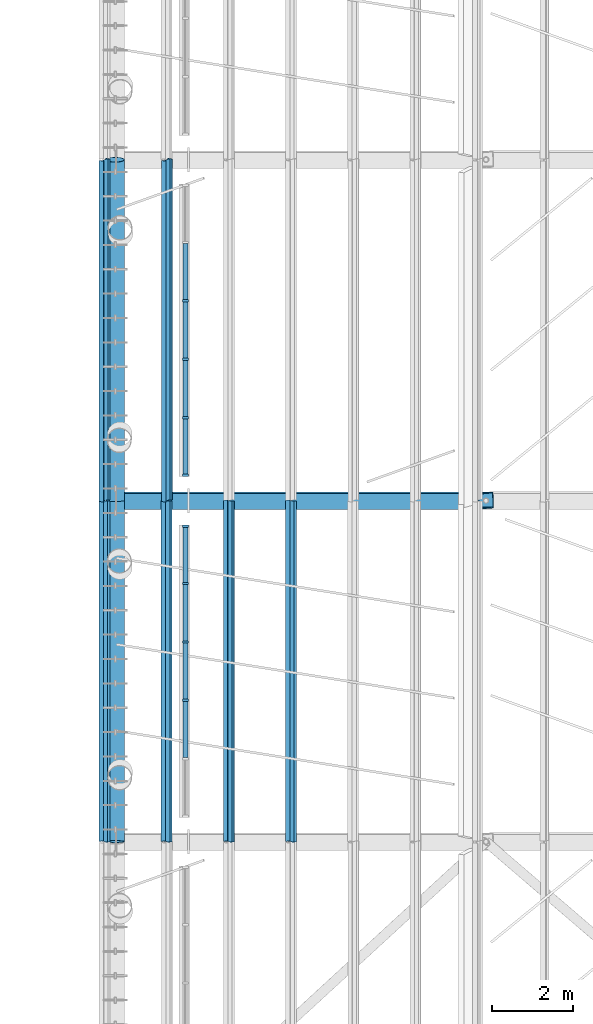
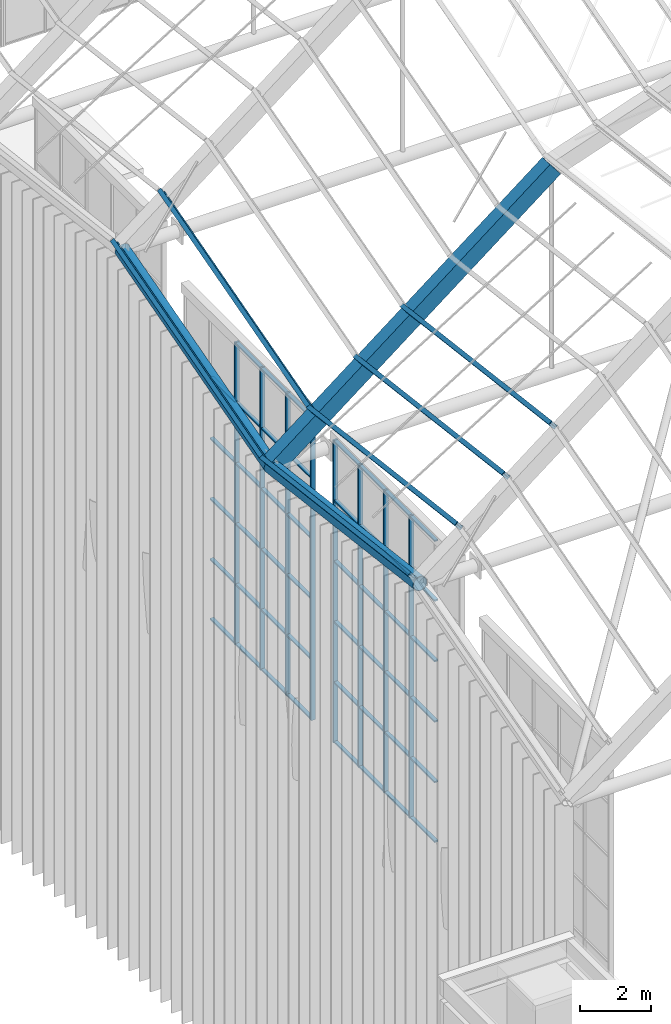
# One storey, part 20 of 126: 61 members, 3 beams, 2 elements without a shape of their own.
"""IFC4 building model written with IfcOpenShell, lengths in metres."""

from ifc_helpers import new_model, si_unit, direction, frame, origin, origin_2d, place, context, subcontext, project, spatial, polyline, rectangle, hollow_circle, i_section, outline, extrude, material, material_profile, profile_set, type_object, element, aggregate, save


model = new_model("IFC4")

# Units and contexts
model_context = context("Model", 3, precision=1e-05, world=origin(), true_north=direction((0.0, 1.0)))
body_context = subcontext(model_context, "Body", "Model", "MODEL_VIEW")
ifc_project = project(units=[si_unit("LENGTHUNIT", "METRE"), si_unit("AREAUNIT", "SQUARE_METRE"), si_unit("VOLUMEUNIT", "CUBIC_METRE"), si_unit("PLANEANGLEUNIT", "RADIAN"), si_unit("MASSUNIT", "GRAM", prefix="KILO")], contexts=[model_context])

# Site, building, storey
site_placement = place(None, origin())
site = spatial("IfcSite", under=ifc_project, at=site_placement, CompositionType="ELEMENT")
building_placement = place(site_placement, origin())
building = spatial("IfcBuilding", under=site, at=building_placement, Name="Sava Quay Ferry Terminal", CompositionType="ELEMENT")
storey_placement = place(building_placement, frame((0.0, 0.0, 15.0)))
storey = spatial("IfcBuildingStorey", under=building, at=storey_placement, Name="L03", CompositionType="ELEMENT", Elevation=15.0)

# Beams
ifc_material_1 = material(Name="Steel S355", Category="steel")
ifc_material_profile_1 = material_profile(ifc_material_1, outline(polyline([(-0.199951171875, -0.300048828125), (0.199951171875, -0.300048828125), (0.199951171875, 0.300048828125), (-0.199951171875, 0.300048828125), (-0.199951171875, -0.300048828125)]), holes=[polyline([(-0.175048828125, -0.27490234375), (-0.175048828125, 0.27490234375), (0.175048828125, 0.27490234375), (0.175048828125, -0.27490234375), (-0.175048828125, -0.27490234375)])]), Name="Box 600x400x25 built-up")
ifc_profile_set_1 = profile_set([ifc_material_profile_1], Name="Steel S355")
beam_type_1 = type_object("IfcBeamType", Name="D folded rib Box 600x400x25", PredefinedType="BEAM", material=ifc_profile_set_1)
beam_1_placement = place(storey_placement, frame((42.0, 67.199951171875, 9.714111328125), z_axis=(0.788010316968, 0.0, 0.615662034198), x_axis=(-0.036941091699, 0.998198243354, 0.047282372084)))
element("IfcBeam", 1, at=beam_1_placement, inside=storey, type_object=beam_type_1, Name="Departure hall folded rib R2 seg 1", PredefinedType="BEAM", context=body_context, shape_type="SweptSolid", body=[
    extrude(outline(polyline([(-0.199951171875, -0.300048828125), (0.199951171875, -0.300048828125), (0.199951171875, 0.300048828125), (-0.199951171875, 0.300048828125), (-0.199951171875, -0.300048828125)]), holes=[polyline([(-0.175048828125, -0.27490234375), (-0.175048828125, 0.27490234375), (0.175048828125, 0.27490234375), (0.175048828125, -0.27490234375), (-0.175048828125, -0.27490234375)])]), origin(), (0.0, 0.0, 1.0), 11.5859375),
])
ifc_material_2 = material(Name="Steel S355", Category="steel")
ifc_material_profile_2 = material_profile(ifc_material_2, hollow_circle(Radius=0.228515625, WallThickness=0.01611328125, at=origin_2d()), Name="CHS 457 x 16.0")
ifc_profile_set_2 = profile_set([ifc_material_profile_2], Name="Steel S355")
beam_type_2 = type_object("IfcBeamType", Name="Eave beam CHS 457x16", PredefinedType="BEAM", material=ifc_profile_set_2)
beam_2_placement = place(storey_placement, frame((42.0, 58.800048828125, 10.757080078125), z_axis=(0.0, 0.992379601397, -0.123218207788), x_axis=(-1.0, 0.0, 0.0)))
element("IfcBeam", 2, at=beam_2_placement, inside=storey, type_object=beam_type_2, Name="Departure hall eave beam L2", PredefinedType="BEAM", context=body_context, shape_type="SweptSolid", body=[
    extrude(hollow_circle(Radius=0.228515625, WallThickness=0.01611328125, at=origin_2d()), origin(), (0.0, 0.0, 1.0), 8.46435546875),
])
beam_3_placement = place(storey_placement, frame((42.0, 67.199951171875, 9.714111328125), z_axis=(0.0, 0.962818275279, 0.270149900588), x_axis=(-1.0, 0.0, 0.0)))
element("IfcBeam", 3, at=beam_3_placement, inside=storey, type_object=beam_type_2, Name="Departure hall eave beam L3", PredefinedType="BEAM", context=body_context, shape_type="SweptSolid", body=[
    extrude(hollow_circle(Radius=0.228515625, WallThickness=0.01611328125, at=origin_2d()), origin(), (0.0, 0.0, 1.0), 8.724609375),
])

# Curtain wall, members
ifc_material_3 = material(Name="Aluminium and glass curtain wall, double low-e glazed", Category="aluminium")
curtain_wall_type = type_object("IfcCurtainWallType", Name="Curtain wall CW-F flank", PredefinedType="NOTDEFINED", material=ifc_material_3)
curtain_wall_1_placement = place(storey_placement, origin())
curtain_wall_1 = element("IfcCurtainWall", 4, at=curtain_wall_1_placement, inside=storey, type_object=curtain_wall_type, Name="Curtain wall D-W L03 bay 2", PredefinedType="NOTDEFINED")
ifc_material_4 = material(Name="Aluminium EN AW-6063 T6", Category="aluminium")
ifc_material_profile_3 = material_profile(ifc_material_4, rectangle(XDim=0.14990234375, YDim=0.06005859375, at=origin_2d()), Name="Mullion 60x150 aluminium")
ifc_profile_set_3 = profile_set([ifc_material_profile_3], Name="Aluminium EN AW-6063 T6")
member_type_1 = type_object("IfcMemberType", Name="Mullion 60x150 aluminium", PredefinedType="MULLION", material=ifc_profile_set_3)
member_1_placement = place(storey_placement, frame((43.72509765625, 62.280029296875, 0.0), z_axis=(0.0, 0.0, 1.0), x_axis=(-1.0, 0.0, 0.0)))
member_1 = element("IfcMember", 5, at=member_1_placement, type_object=member_type_1, Name="CW102 mullion 3", PredefinedType="MULLION", context=body_context, shape_type="SweptSolid", body=[
    extrude(rectangle(XDim=0.14990234375, YDim=0.06005859375, at=origin_2d()), origin(), (0.0, 0.0, 1.0), 10.39990234375),
])
member_2_placement = place(storey_placement, frame((43.72509765625, 63.719970703125, 0.0), z_axis=(0.0, 0.0, 1.0), x_axis=(-1.0, 0.0, 0.0)))
member_2 = element("IfcMember", 6, at=member_2_placement, type_object=member_type_1, Name="CW102 mullion 4", PredefinedType="MULLION", context=body_context, shape_type="SweptSolid", body=[
    extrude(rectangle(XDim=0.14990234375, YDim=0.06005859375, at=origin_2d()), origin(), (0.0, 0.0, 1.0), 10.39990234375),
])
member_3_placement = place(storey_placement, frame((43.72509765625, 65.159912109375, 0.0), z_axis=(0.0, 0.0, 1.0), x_axis=(-1.0, 0.0, 0.0)))
member_3 = element("IfcMember", 7, at=member_3_placement, type_object=member_type_1, Name="CW102 mullion 5", PredefinedType="MULLION", context=body_context, shape_type="SweptSolid", body=[
    extrude(rectangle(XDim=0.14990234375, YDim=0.06005859375, at=origin_2d()), origin(), (0.0, 0.0, 1.0), 10.39990234375),
])
member_4_placement = place(storey_placement, frame((43.72509765625, 66.570068359375, 0.0), z_axis=(0.0, 0.0, 1.0), x_axis=(-1.0, 0.0, 0.0)))
member_4 = element("IfcMember", 8, at=member_4_placement, type_object=member_type_1, Name="CW102 mullion 6", PredefinedType="MULLION", context=body_context, shape_type="SweptSolid", body=[
    extrude(rectangle(XDim=0.14990234375, YDim=0.06005859375, at=origin_2d()), origin(), (0.0, 0.0, 1.0), 10.39990234375),
])

curtain_wall_2_placement = place(storey_placement, origin())
curtain_wall_2 = element("IfcCurtainWall", 9, at=curtain_wall_2_placement, inside=storey, type_object=curtain_wall_type, Name="Curtain wall D-W L03 bay 3", PredefinedType="NOTDEFINED")
member_5_placement = place(storey_placement, frame((43.72509765625, 67.830078125, 0.0), z_axis=(0.0, 0.0, 1.0), x_axis=(-1.0, 0.0, 0.0)))
member_5 = element("IfcMember", 10, at=member_5_placement, type_object=member_type_1, Name="CW106 mullion 1", PredefinedType="MULLION", context=body_context, shape_type="SweptSolid", body=[
    extrude(rectangle(XDim=0.14990234375, YDim=0.06005859375, at=origin_2d()), origin(), (0.0, 0.0, 1.0), 10.39990234375),
])
member_6_placement = place(storey_placement, frame((43.72509765625, 69.239990234375, 0.0), z_axis=(0.0, 0.0, 1.0), x_axis=(-1.0, 0.0, 0.0)))
member_6 = element("IfcMember", 11, at=member_6_placement, type_object=member_type_1, Name="CW106 mullion 2", PredefinedType="MULLION", context=body_context, shape_type="SweptSolid", body=[
    extrude(rectangle(XDim=0.14990234375, YDim=0.06005859375, at=origin_2d()), origin(), (0.0, 0.0, 1.0), 10.39990234375),
])
member_7_placement = place(storey_placement, frame((43.72509765625, 70.679931640625, 0.0), z_axis=(0.0, 0.0, 1.0), x_axis=(-1.0, 0.0, 0.0)))
member_7 = element("IfcMember", 12, at=member_7_placement, type_object=member_type_1, Name="CW106 mullion 3", PredefinedType="MULLION", context=body_context, shape_type="SweptSolid", body=[
    extrude(rectangle(XDim=0.14990234375, YDim=0.06005859375, at=origin_2d()), origin(), (0.0, 0.0, 1.0), 10.39990234375),
])
member_8_placement = place(storey_placement, frame((43.72509765625, 72.1201171875, 0.0), z_axis=(0.0, 0.0, 1.0), x_axis=(-1.0, 0.0, 0.0)))
member_8 = element("IfcMember", 13, at=member_8_placement, type_object=member_type_1, Name="CW106 mullion 4", PredefinedType="MULLION", context=body_context, shape_type="SweptSolid", body=[
    extrude(rectangle(XDim=0.14990234375, YDim=0.06005859375, at=origin_2d()), origin(), (0.0, 0.0, 1.0), 10.39990234375),
])

# Members
ifc_material_5 = material(Name="Steel S355", Category="steel")
ifc_material_profile_4 = material_profile(ifc_material_5, i_section(OverallWidth=0.135009765625, OverallDepth=0.27001953125, WebThickness=0.006591796875, FlangeThickness=0.01025390625, at=origin_2d()), Name="IPE 270")
ifc_profile_set_4 = profile_set([ifc_material_profile_4], Name="Steel S355")
member_type_2 = type_object("IfcMemberType", Name="Roof purlin IPE 270", PredefinedType="PURLIN", material=ifc_profile_set_4)
for number, where, z_axis, x_axis, name in (
    (14, (41.7333984375, 58.800048828125, 11.103515625), (0.0, 0.992376074077, -0.123246612932), (-0.790288110365, -0.075517565912, -0.608063976777), "Departure hall edge purlin bay 2 V0"),
    (15, (43.2646484375, 58.800048828125, 12.2998046875), (0.0, 0.992379601397, -0.123218207788), (-0.790288110365, -0.075500161074, -0.608066138091), "Departure hall purlin bay 2 M0.1"),
    (16, (44.7958984375, 58.800048828125, 13.49609375), (0.0, 0.992379601397, -0.123218207788), (-0.790288110365, -0.075500161074, -0.608066138091), "Departure hall purlin bay 2 M0.2"),
    (17, (46.3271484375, 58.800048828125, 14.6923828125), (0.0, 0.992379601397, -0.123218207788), (-0.790288110365, -0.075500161074, -0.608066138091), "Departure hall purlin bay 2 M0.3"),
):
    element("IfcMember", number, at=place(storey_placement, frame(where, z_axis=z_axis, x_axis=x_axis)), inside=storey, type_object=member_type_2, Name=name, PredefinedType="PURLIN", context=body_context, shape_type="SweptSolid", body=[
        extrude(i_section(OverallWidth=0.135009765625, OverallDepth=0.27001953125, WebThickness=0.006591796875, FlangeThickness=0.01025390625, at=origin_2d()), origin(), (0.0, 0.0, 1.0), 8.46435546875),
    ])
for number, where, z_axis, x_axis, name in (
    (18, (41.738525390625, 67.199951171875, 10.074951171875), (0.0, 0.962810996405, 0.270175841262), (-0.799142410931, 0.162413978801, -0.578785890067), "Departure hall edge purlin bay 3 V0"),
    (19, (43.269775390625, 67.199951171875, 11.271240234375), (0.0, 0.962810996405, 0.270175841262), (-0.799142410931, 0.162413978801, -0.578785890067), "Departure hall purlin bay 3 M0.1"),
):
    element("IfcMember", number, at=place(storey_placement, frame(where, z_axis=z_axis, x_axis=x_axis)), inside=storey, type_object=member_type_2, Name=name, PredefinedType="PURLIN", context=body_context, shape_type="SweptSolid", body=[
        extrude(i_section(OverallWidth=0.135009765625, OverallDepth=0.27001953125, WebThickness=0.006591796875, FlangeThickness=0.01025390625, at=origin_2d()), origin(), (0.0, 0.0, 1.0), 8.724609375),
    ])

# Member
ifc_material_6 = material(Name="Aluminium EN AW-6063 T6", Category="aluminium")
ifc_material_profile_5 = material_profile(ifc_material_6, rectangle(XDim=0.1201171875, YDim=0.050048828125, at=origin_2d()), Name="Transom 50x120 aluminium")
ifc_profile_set_5 = profile_set([ifc_material_profile_5], Name="Aluminium EN AW-6063 T6")
member_type_3 = type_object("IfcMemberType", Name="Transom 50x120 aluminium", PredefinedType="USERDEFINED", material=ifc_profile_set_5)
member_9_placement = place(storey_placement, frame((43.72509765625, 60.8701171875, 0.02490234375), z_axis=(0.0, 1.0, 0.0), x_axis=(-1.0, 0.0, 0.0)))
member_9 = element("IfcMember", 20, at=member_9_placement, type_object=member_type_3, Name="CW102 transom 2.1", ObjectType="TRANSOM", PredefinedType="USERDEFINED", context=body_context, shape_type="SweptSolid", body=[
    extrude(rectangle(XDim=0.1201171875, YDim=0.050048828125, at=origin_2d()), origin(), (0.0, 0.0, 1.0), 1.3798828125),
])

member_10_placement = place(storey_placement, frame((43.72509765625, 60.8701171875, 2.080078125), z_axis=(0.0, 1.0, 0.0), x_axis=(-1.0, 0.0, 0.0)))
member_10 = element("IfcMember", 21, at=member_10_placement, type_object=member_type_3, Name="CW102 transom 2.2", ObjectType="TRANSOM", PredefinedType="USERDEFINED", context=body_context, shape_type="SweptSolid", body=[
    extrude(rectangle(XDim=0.1201171875, YDim=0.050048828125, at=origin_2d()), origin(), (0.0, 0.0, 1.0), 1.3798828125),
])

member_11_placement = place(storey_placement, frame((43.72509765625, 60.8701171875, 4.159912109375), z_axis=(0.0, 1.0, 0.0), x_axis=(-1.0, 0.0, 0.0)))
member_11 = element("IfcMember", 22, at=member_11_placement, type_object=member_type_3, Name="CW102 transom 2.3", ObjectType="TRANSOM", PredefinedType="USERDEFINED", context=body_context, shape_type="SweptSolid", body=[
    extrude(rectangle(XDim=0.1201171875, YDim=0.050048828125, at=origin_2d()), origin(), (0.0, 0.0, 1.0), 1.3798828125),
])

member_12_placement = place(storey_placement, frame((43.72509765625, 60.8701171875, 6.239990234375), z_axis=(0.0, 1.0, 0.0), x_axis=(-1.0, 0.0, 0.0)))
member_12 = element("IfcMember", 23, at=member_12_placement, type_object=member_type_3, Name="CW102 transom 2.4", ObjectType="TRANSOM", PredefinedType="USERDEFINED", context=body_context, shape_type="SweptSolid", body=[
    extrude(rectangle(XDim=0.1201171875, YDim=0.050048828125, at=origin_2d()), origin(), (0.0, 0.0, 1.0), 1.3798828125),
])

member_13_placement = place(storey_placement, frame((43.72509765625, 60.8701171875, 8.320068359375), z_axis=(0.0, 1.0, 0.0), x_axis=(-1.0, 0.0, 0.0)))
member_13 = element("IfcMember", 24, at=member_13_placement, type_object=member_type_3, Name="CW102 transom 2.5", ObjectType="TRANSOM", PredefinedType="USERDEFINED", context=body_context, shape_type="SweptSolid", body=[
    extrude(rectangle(XDim=0.1201171875, YDim=0.050048828125, at=origin_2d()), origin(), (0.0, 0.0, 1.0), 1.3798828125),
])

member_14_placement = place(storey_placement, frame((43.72509765625, 60.8701171875, 10.375), z_axis=(0.0, 1.0, 0.0), x_axis=(-1.0, 0.0, 0.0)))
member_14 = element("IfcMember", 25, at=member_14_placement, type_object=member_type_3, Name="CW102 transom 2.6", ObjectType="TRANSOM", PredefinedType="USERDEFINED", context=body_context, shape_type="SweptSolid", body=[
    extrude(rectangle(XDim=0.1201171875, YDim=0.050048828125, at=origin_2d()), origin(), (0.0, 0.0, 1.0), 1.3798828125),
])

member_15_placement = place(storey_placement, frame((43.72509765625, 62.31005859375, 0.02490234375), z_axis=(0.0, 1.0, 0.0), x_axis=(-1.0, 0.0, 0.0)))
member_15 = element("IfcMember", 26, at=member_15_placement, type_object=member_type_3, Name="CW102 transom 3.1", ObjectType="TRANSOM", PredefinedType="USERDEFINED", context=body_context, shape_type="SweptSolid", body=[
    extrude(rectangle(XDim=0.1201171875, YDim=0.050048828125, at=origin_2d()), origin(), (0.0, 0.0, 1.0), 1.3798828125),
])

member_16_placement = place(storey_placement, frame((43.72509765625, 62.31005859375, 2.080078125), z_axis=(0.0, 1.0, 0.0), x_axis=(-1.0, 0.0, 0.0)))
member_16 = element("IfcMember", 27, at=member_16_placement, type_object=member_type_3, Name="CW102 transom 3.2", ObjectType="TRANSOM", PredefinedType="USERDEFINED", context=body_context, shape_type="SweptSolid", body=[
    extrude(rectangle(XDim=0.1201171875, YDim=0.050048828125, at=origin_2d()), origin(), (0.0, 0.0, 1.0), 1.3798828125),
])

member_17_placement = place(storey_placement, frame((43.72509765625, 62.31005859375, 4.159912109375), z_axis=(0.0, 1.0, 0.0), x_axis=(-1.0, 0.0, 0.0)))
member_17 = element("IfcMember", 28, at=member_17_placement, type_object=member_type_3, Name="CW102 transom 3.3", ObjectType="TRANSOM", PredefinedType="USERDEFINED", context=body_context, shape_type="SweptSolid", body=[
    extrude(rectangle(XDim=0.1201171875, YDim=0.050048828125, at=origin_2d()), origin(), (0.0, 0.0, 1.0), 1.3798828125),
])

member_18_placement = place(storey_placement, frame((43.72509765625, 62.31005859375, 6.239990234375), z_axis=(0.0, 1.0, 0.0), x_axis=(-1.0, 0.0, 0.0)))
member_18 = element("IfcMember", 29, at=member_18_placement, type_object=member_type_3, Name="CW102 transom 3.4", ObjectType="TRANSOM", PredefinedType="USERDEFINED", context=body_context, shape_type="SweptSolid", body=[
    extrude(rectangle(XDim=0.1201171875, YDim=0.050048828125, at=origin_2d()), origin(), (0.0, 0.0, 1.0), 1.3798828125),
])

member_19_placement = place(storey_placement, frame((43.72509765625, 62.31005859375, 8.320068359375), z_axis=(0.0, 1.0, 0.0), x_axis=(-1.0, 0.0, 0.0)))
member_19 = element("IfcMember", 30, at=member_19_placement, type_object=member_type_3, Name="CW102 transom 3.5", ObjectType="TRANSOM", PredefinedType="USERDEFINED", context=body_context, shape_type="SweptSolid", body=[
    extrude(rectangle(XDim=0.1201171875, YDim=0.050048828125, at=origin_2d()), origin(), (0.0, 0.0, 1.0), 1.3798828125),
])

member_20_placement = place(storey_placement, frame((43.72509765625, 62.31005859375, 10.375), z_axis=(0.0, 1.0, 0.0), x_axis=(-1.0, 0.0, 0.0)))
member_20 = element("IfcMember", 31, at=member_20_placement, type_object=member_type_3, Name="CW102 transom 3.6", ObjectType="TRANSOM", PredefinedType="USERDEFINED", context=body_context, shape_type="SweptSolid", body=[
    extrude(rectangle(XDim=0.1201171875, YDim=0.050048828125, at=origin_2d()), origin(), (0.0, 0.0, 1.0), 1.3798828125),
])

member_21_placement = place(storey_placement, frame((43.72509765625, 63.75, 0.02490234375), z_axis=(0.0, 1.0, 0.0), x_axis=(-1.0, 0.0, 0.0)))
member_21 = element("IfcMember", 32, at=member_21_placement, type_object=member_type_3, Name="CW102 transom 4.1", ObjectType="TRANSOM", PredefinedType="USERDEFINED", context=body_context, shape_type="SweptSolid", body=[
    extrude(rectangle(XDim=0.1201171875, YDim=0.050048828125, at=origin_2d()), origin(), (0.0, 0.0, 1.0), 1.3798828125),
])

member_22_placement = place(storey_placement, frame((43.72509765625, 63.75, 2.080078125), z_axis=(0.0, 1.0, 0.0), x_axis=(-1.0, 0.0, 0.0)))
member_22 = element("IfcMember", 33, at=member_22_placement, type_object=member_type_3, Name="CW102 transom 4.2", ObjectType="TRANSOM", PredefinedType="USERDEFINED", context=body_context, shape_type="SweptSolid", body=[
    extrude(rectangle(XDim=0.1201171875, YDim=0.050048828125, at=origin_2d()), origin(), (0.0, 0.0, 1.0), 1.3798828125),
])

member_23_placement = place(storey_placement, frame((43.72509765625, 63.75, 4.159912109375), z_axis=(0.0, 1.0, 0.0), x_axis=(-1.0, 0.0, 0.0)))
member_23 = element("IfcMember", 34, at=member_23_placement, type_object=member_type_3, Name="CW102 transom 4.3", ObjectType="TRANSOM", PredefinedType="USERDEFINED", context=body_context, shape_type="SweptSolid", body=[
    extrude(rectangle(XDim=0.1201171875, YDim=0.050048828125, at=origin_2d()), origin(), (0.0, 0.0, 1.0), 1.3798828125),
])

member_24_placement = place(storey_placement, frame((43.72509765625, 63.75, 6.239990234375), z_axis=(0.0, 1.0, 0.0), x_axis=(-1.0, 0.0, 0.0)))
member_24 = element("IfcMember", 35, at=member_24_placement, type_object=member_type_3, Name="CW102 transom 4.4", ObjectType="TRANSOM", PredefinedType="USERDEFINED", context=body_context, shape_type="SweptSolid", body=[
    extrude(rectangle(XDim=0.1201171875, YDim=0.050048828125, at=origin_2d()), origin(), (0.0, 0.0, 1.0), 1.3798828125),
])

member_25_placement = place(storey_placement, frame((43.72509765625, 63.75, 8.320068359375), z_axis=(0.0, 1.0, 0.0), x_axis=(-1.0, 0.0, 0.0)))
member_25 = element("IfcMember", 36, at=member_25_placement, type_object=member_type_3, Name="CW102 transom 4.5", ObjectType="TRANSOM", PredefinedType="USERDEFINED", context=body_context, shape_type="SweptSolid", body=[
    extrude(rectangle(XDim=0.1201171875, YDim=0.050048828125, at=origin_2d()), origin(), (0.0, 0.0, 1.0), 1.3798828125),
])

member_26_placement = place(storey_placement, frame((43.72509765625, 63.75, 10.375), z_axis=(0.0, 1.0, 0.0), x_axis=(-1.0, 0.0, 0.0)))
member_26 = element("IfcMember", 37, at=member_26_placement, type_object=member_type_3, Name="CW102 transom 4.6", ObjectType="TRANSOM", PredefinedType="USERDEFINED", context=body_context, shape_type="SweptSolid", body=[
    extrude(rectangle(XDim=0.1201171875, YDim=0.050048828125, at=origin_2d()), origin(), (0.0, 0.0, 1.0), 1.3798828125),
])

member_27_placement = place(storey_placement, frame((43.72509765625, 65.18994140625, 0.02490234375), z_axis=(0.0, 1.0, 0.0), x_axis=(-1.0, 0.0, 0.0)))
member_27 = element("IfcMember", 38, at=member_27_placement, type_object=member_type_3, Name="CW102 transom 5.1", ObjectType="TRANSOM", PredefinedType="USERDEFINED", context=body_context, shape_type="SweptSolid", body=[
    extrude(rectangle(XDim=0.1201171875, YDim=0.050048828125, at=origin_2d()), origin(), (0.0, 0.0, 1.0), 1.35009765625),
])

member_28_placement = place(storey_placement, frame((43.72509765625, 65.18994140625, 2.080078125), z_axis=(0.0, 1.0, 0.0), x_axis=(-1.0, 0.0, 0.0)))
member_28 = element("IfcMember", 39, at=member_28_placement, type_object=member_type_3, Name="CW102 transom 5.2", ObjectType="TRANSOM", PredefinedType="USERDEFINED", context=body_context, shape_type="SweptSolid", body=[
    extrude(rectangle(XDim=0.1201171875, YDim=0.050048828125, at=origin_2d()), origin(), (0.0, 0.0, 1.0), 1.35009765625),
])

member_29_placement = place(storey_placement, frame((43.72509765625, 65.18994140625, 4.159912109375), z_axis=(0.0, 1.0, 0.0), x_axis=(-1.0, 0.0, 0.0)))
member_29 = element("IfcMember", 40, at=member_29_placement, type_object=member_type_3, Name="CW102 transom 5.3", ObjectType="TRANSOM", PredefinedType="USERDEFINED", context=body_context, shape_type="SweptSolid", body=[
    extrude(rectangle(XDim=0.1201171875, YDim=0.050048828125, at=origin_2d()), origin(), (0.0, 0.0, 1.0), 1.35009765625),
])

member_30_placement = place(storey_placement, frame((43.72509765625, 65.18994140625, 6.239990234375), z_axis=(0.0, 1.0, 0.0), x_axis=(-1.0, 0.0, 0.0)))
member_30 = element("IfcMember", 41, at=member_30_placement, type_object=member_type_3, Name="CW102 transom 5.4", ObjectType="TRANSOM", PredefinedType="USERDEFINED", context=body_context, shape_type="SweptSolid", body=[
    extrude(rectangle(XDim=0.1201171875, YDim=0.050048828125, at=origin_2d()), origin(), (0.0, 0.0, 1.0), 1.35009765625),
])

member_31_placement = place(storey_placement, frame((43.72509765625, 65.18994140625, 8.320068359375), z_axis=(0.0, 1.0, 0.0), x_axis=(-1.0, 0.0, 0.0)))
member_31 = element("IfcMember", 42, at=member_31_placement, type_object=member_type_3, Name="CW102 transom 5.5", ObjectType="TRANSOM", PredefinedType="USERDEFINED", context=body_context, shape_type="SweptSolid", body=[
    extrude(rectangle(XDim=0.1201171875, YDim=0.050048828125, at=origin_2d()), origin(), (0.0, 0.0, 1.0), 1.35009765625),
])

member_32_placement = place(storey_placement, frame((43.72509765625, 65.18994140625, 10.375), z_axis=(0.0, 1.0, 0.0), x_axis=(-1.0, 0.0, 0.0)))
member_32 = element("IfcMember", 43, at=member_32_placement, type_object=member_type_3, Name="CW102 transom 5.6", ObjectType="TRANSOM", PredefinedType="USERDEFINED", context=body_context, shape_type="SweptSolid", body=[
    extrude(rectangle(XDim=0.1201171875, YDim=0.050048828125, at=origin_2d()), origin(), (0.0, 0.0, 1.0), 1.35009765625),
])

aggregate(curtain_wall_1, [member_1, member_2, member_3, member_4, member_9, member_10, member_11, member_12, member_13, member_14, member_15, member_16, member_17, member_18, member_19, member_20, member_21, member_22, member_23, member_24, member_25, member_26, member_27, member_28, member_29, member_30, member_31, member_32])

member_33_placement = place(storey_placement, frame((43.72509765625, 67.860107421875, 0.02490234375), z_axis=(0.0, 1.0, 0.0), x_axis=(-1.0, 0.0, 0.0)))
member_33 = element("IfcMember", 44, at=member_33_placement, type_object=member_type_3, Name="CW106 transom 1.1", ObjectType="TRANSOM", PredefinedType="USERDEFINED", context=body_context, shape_type="SweptSolid", body=[
    extrude(rectangle(XDim=0.1201171875, YDim=0.050048828125, at=origin_2d()), origin(), (0.0, 0.0, 1.0), 1.349853515625),
])

member_34_placement = place(storey_placement, frame((43.72509765625, 67.860107421875, 2.080078125), z_axis=(0.0, 1.0, 0.0), x_axis=(-1.0, 0.0, 0.0)))
member_34 = element("IfcMember", 45, at=member_34_placement, type_object=member_type_3, Name="CW106 transom 1.2", ObjectType="TRANSOM", PredefinedType="USERDEFINED", context=body_context, shape_type="SweptSolid", body=[
    extrude(rectangle(XDim=0.1201171875, YDim=0.050048828125, at=origin_2d()), origin(), (0.0, 0.0, 1.0), 1.349853515625),
])

member_35_placement = place(storey_placement, frame((43.72509765625, 67.860107421875, 4.159912109375), z_axis=(0.0, 1.0, 0.0), x_axis=(-1.0, 0.0, 0.0)))
member_35 = element("IfcMember", 46, at=member_35_placement, type_object=member_type_3, Name="CW106 transom 1.3", ObjectType="TRANSOM", PredefinedType="USERDEFINED", context=body_context, shape_type="SweptSolid", body=[
    extrude(rectangle(XDim=0.1201171875, YDim=0.050048828125, at=origin_2d()), origin(), (0.0, 0.0, 1.0), 1.349853515625),
])

member_36_placement = place(storey_placement, frame((43.72509765625, 67.860107421875, 6.239990234375), z_axis=(0.0, 1.0, 0.0), x_axis=(-1.0, 0.0, 0.0)))
member_36 = element("IfcMember", 47, at=member_36_placement, type_object=member_type_3, Name="CW106 transom 1.4", ObjectType="TRANSOM", PredefinedType="USERDEFINED", context=body_context, shape_type="SweptSolid", body=[
    extrude(rectangle(XDim=0.1201171875, YDim=0.050048828125, at=origin_2d()), origin(), (0.0, 0.0, 1.0), 1.349853515625),
])

member_37_placement = place(storey_placement, frame((43.72509765625, 67.860107421875, 8.320068359375), z_axis=(0.0, 1.0, 0.0), x_axis=(-1.0, 0.0, 0.0)))
member_37 = element("IfcMember", 48, at=member_37_placement, type_object=member_type_3, Name="CW106 transom 1.5", ObjectType="TRANSOM", PredefinedType="USERDEFINED", context=body_context, shape_type="SweptSolid", body=[
    extrude(rectangle(XDim=0.1201171875, YDim=0.050048828125, at=origin_2d()), origin(), (0.0, 0.0, 1.0), 1.349853515625),
])

member_38_placement = place(storey_placement, frame((43.72509765625, 67.860107421875, 10.375), z_axis=(0.0, 1.0, 0.0), x_axis=(-1.0, 0.0, 0.0)))
member_38 = element("IfcMember", 49, at=member_38_placement, type_object=member_type_3, Name="CW106 transom 1.6", ObjectType="TRANSOM", PredefinedType="USERDEFINED", context=body_context, shape_type="SweptSolid", body=[
    extrude(rectangle(XDim=0.1201171875, YDim=0.050048828125, at=origin_2d()), origin(), (0.0, 0.0, 1.0), 1.349853515625),
])

member_39_placement = place(storey_placement, frame((43.72509765625, 69.27001953125, 0.02490234375), z_axis=(0.0, 1.0, 0.0), x_axis=(-1.0, 0.0, 0.0)))
member_39 = element("IfcMember", 50, at=member_39_placement, type_object=member_type_3, Name="CW106 transom 2.1", ObjectType="TRANSOM", PredefinedType="USERDEFINED", context=body_context, shape_type="SweptSolid", body=[
    extrude(rectangle(XDim=0.1201171875, YDim=0.050048828125, at=origin_2d()), origin(), (0.0, 0.0, 1.0), 1.3798828125),
])

member_40_placement = place(storey_placement, frame((43.72509765625, 69.27001953125, 2.080078125), z_axis=(0.0, 1.0, 0.0), x_axis=(-1.0, 0.0, 0.0)))
member_40 = element("IfcMember", 51, at=member_40_placement, type_object=member_type_3, Name="CW106 transom 2.2", ObjectType="TRANSOM", PredefinedType="USERDEFINED", context=body_context, shape_type="SweptSolid", body=[
    extrude(rectangle(XDim=0.1201171875, YDim=0.050048828125, at=origin_2d()), origin(), (0.0, 0.0, 1.0), 1.3798828125),
])

member_41_placement = place(storey_placement, frame((43.72509765625, 69.27001953125, 4.159912109375), z_axis=(0.0, 1.0, 0.0), x_axis=(-1.0, 0.0, 0.0)))
member_41 = element("IfcMember", 52, at=member_41_placement, type_object=member_type_3, Name="CW106 transom 2.3", ObjectType="TRANSOM", PredefinedType="USERDEFINED", context=body_context, shape_type="SweptSolid", body=[
    extrude(rectangle(XDim=0.1201171875, YDim=0.050048828125, at=origin_2d()), origin(), (0.0, 0.0, 1.0), 1.3798828125),
])

member_42_placement = place(storey_placement, frame((43.72509765625, 69.27001953125, 6.239990234375), z_axis=(0.0, 1.0, 0.0), x_axis=(-1.0, 0.0, 0.0)))
member_42 = element("IfcMember", 53, at=member_42_placement, type_object=member_type_3, Name="CW106 transom 2.4", ObjectType="TRANSOM", PredefinedType="USERDEFINED", context=body_context, shape_type="SweptSolid", body=[
    extrude(rectangle(XDim=0.1201171875, YDim=0.050048828125, at=origin_2d()), origin(), (0.0, 0.0, 1.0), 1.3798828125),
])

member_43_placement = place(storey_placement, frame((43.72509765625, 69.27001953125, 8.320068359375), z_axis=(0.0, 1.0, 0.0), x_axis=(-1.0, 0.0, 0.0)))
member_43 = element("IfcMember", 54, at=member_43_placement, type_object=member_type_3, Name="CW106 transom 2.5", ObjectType="TRANSOM", PredefinedType="USERDEFINED", context=body_context, shape_type="SweptSolid", body=[
    extrude(rectangle(XDim=0.1201171875, YDim=0.050048828125, at=origin_2d()), origin(), (0.0, 0.0, 1.0), 1.3798828125),
])

member_44_placement = place(storey_placement, frame((43.72509765625, 69.27001953125, 10.375), z_axis=(0.0, 1.0, 0.0), x_axis=(-1.0, 0.0, 0.0)))
member_44 = element("IfcMember", 55, at=member_44_placement, type_object=member_type_3, Name="CW106 transom 2.6", ObjectType="TRANSOM", PredefinedType="USERDEFINED", context=body_context, shape_type="SweptSolid", body=[
    extrude(rectangle(XDim=0.1201171875, YDim=0.050048828125, at=origin_2d()), origin(), (0.0, 0.0, 1.0), 1.3798828125),
])

member_45_placement = place(storey_placement, frame((43.72509765625, 70.7099609375, 0.02490234375), z_axis=(0.0, 1.0, 0.0), x_axis=(-1.0, 0.0, 0.0)))
member_45 = element("IfcMember", 56, at=member_45_placement, type_object=member_type_3, Name="CW106 transom 3.1", ObjectType="TRANSOM", PredefinedType="USERDEFINED", context=body_context, shape_type="SweptSolid", body=[
    extrude(rectangle(XDim=0.1201171875, YDim=0.050048828125, at=origin_2d()), origin(), (0.0, 0.0, 1.0), 1.380126953125),
])

member_46_placement = place(storey_placement, frame((43.72509765625, 70.7099609375, 2.080078125), z_axis=(0.0, 1.0, 0.0), x_axis=(-1.0, 0.0, 0.0)))
member_46 = element("IfcMember", 57, at=member_46_placement, type_object=member_type_3, Name="CW106 transom 3.2", ObjectType="TRANSOM", PredefinedType="USERDEFINED", context=body_context, shape_type="SweptSolid", body=[
    extrude(rectangle(XDim=0.1201171875, YDim=0.050048828125, at=origin_2d()), origin(), (0.0, 0.0, 1.0), 1.380126953125),
])

member_47_placement = place(storey_placement, frame((43.72509765625, 70.7099609375, 4.159912109375), z_axis=(0.0, 1.0, 0.0), x_axis=(-1.0, 0.0, 0.0)))
member_47 = element("IfcMember", 58, at=member_47_placement, type_object=member_type_3, Name="CW106 transom 3.3", ObjectType="TRANSOM", PredefinedType="USERDEFINED", context=body_context, shape_type="SweptSolid", body=[
    extrude(rectangle(XDim=0.1201171875, YDim=0.050048828125, at=origin_2d()), origin(), (0.0, 0.0, 1.0), 1.380126953125),
])

member_48_placement = place(storey_placement, frame((43.72509765625, 70.7099609375, 6.239990234375), z_axis=(0.0, 1.0, 0.0), x_axis=(-1.0, 0.0, 0.0)))
member_48 = element("IfcMember", 59, at=member_48_placement, type_object=member_type_3, Name="CW106 transom 3.4", ObjectType="TRANSOM", PredefinedType="USERDEFINED", context=body_context, shape_type="SweptSolid", body=[
    extrude(rectangle(XDim=0.1201171875, YDim=0.050048828125, at=origin_2d()), origin(), (0.0, 0.0, 1.0), 1.380126953125),
])

member_49_placement = place(storey_placement, frame((43.72509765625, 70.7099609375, 8.320068359375), z_axis=(0.0, 1.0, 0.0), x_axis=(-1.0, 0.0, 0.0)))
member_49 = element("IfcMember", 60, at=member_49_placement, type_object=member_type_3, Name="CW106 transom 3.5", ObjectType="TRANSOM", PredefinedType="USERDEFINED", context=body_context, shape_type="SweptSolid", body=[
    extrude(rectangle(XDim=0.1201171875, YDim=0.050048828125, at=origin_2d()), origin(), (0.0, 0.0, 1.0), 1.380126953125),
])

member_50_placement = place(storey_placement, frame((43.72509765625, 70.7099609375, 10.375), z_axis=(0.0, 1.0, 0.0), x_axis=(-1.0, 0.0, 0.0)))
member_50 = element("IfcMember", 61, at=member_50_placement, type_object=member_type_3, Name="CW106 transom 3.6", ObjectType="TRANSOM", PredefinedType="USERDEFINED", context=body_context, shape_type="SweptSolid", body=[
    extrude(rectangle(XDim=0.1201171875, YDim=0.050048828125, at=origin_2d()), origin(), (0.0, 0.0, 1.0), 1.380126953125),
])

member_51_placement = place(storey_placement, frame((43.72509765625, 72.14990234375, 0.02490234375), z_axis=(0.0, 1.0, 0.0), x_axis=(-1.0, 0.0, 0.0)))
member_51 = element("IfcMember", 62, at=member_51_placement, type_object=member_type_3, Name="CW106 transom 4.1", ObjectType="TRANSOM", PredefinedType="USERDEFINED", context=body_context, shape_type="SweptSolid", body=[
    extrude(rectangle(XDim=0.1201171875, YDim=0.050048828125, at=origin_2d()), origin(), (0.0, 0.0, 1.0), 1.380126953125),
])

member_52_placement = place(storey_placement, frame((43.72509765625, 72.14990234375, 2.080078125), z_axis=(0.0, 1.0, 0.0), x_axis=(-1.0, 0.0, 0.0)))
member_52 = element("IfcMember", 63, at=member_52_placement, type_object=member_type_3, Name="CW106 transom 4.2", ObjectType="TRANSOM", PredefinedType="USERDEFINED", context=body_context, shape_type="SweptSolid", body=[
    extrude(rectangle(XDim=0.1201171875, YDim=0.050048828125, at=origin_2d()), origin(), (0.0, 0.0, 1.0), 1.380126953125),
])

member_53_placement = place(storey_placement, frame((43.72509765625, 72.14990234375, 4.159912109375), z_axis=(0.0, 1.0, 0.0), x_axis=(-1.0, 0.0, 0.0)))
member_53 = element("IfcMember", 64, at=member_53_placement, type_object=member_type_3, Name="CW106 transom 4.3", ObjectType="TRANSOM", PredefinedType="USERDEFINED", context=body_context, shape_type="SweptSolid", body=[
    extrude(rectangle(XDim=0.1201171875, YDim=0.050048828125, at=origin_2d()), origin(), (0.0, 0.0, 1.0), 1.380126953125),
])

member_54_placement = place(storey_placement, frame((43.72509765625, 72.14990234375, 6.239990234375), z_axis=(0.0, 1.0, 0.0), x_axis=(-1.0, 0.0, 0.0)))
member_54 = element("IfcMember", 65, at=member_54_placement, type_object=member_type_3, Name="CW106 transom 4.4", ObjectType="TRANSOM", PredefinedType="USERDEFINED", context=body_context, shape_type="SweptSolid", body=[
    extrude(rectangle(XDim=0.1201171875, YDim=0.050048828125, at=origin_2d()), origin(), (0.0, 0.0, 1.0), 1.380126953125),
])

member_55_placement = place(storey_placement, frame((43.72509765625, 72.14990234375, 8.320068359375), z_axis=(0.0, 1.0, 0.0), x_axis=(-1.0, 0.0, 0.0)))
member_55 = element("IfcMember", 66, at=member_55_placement, type_object=member_type_3, Name="CW106 transom 4.5", ObjectType="TRANSOM", PredefinedType="USERDEFINED", context=body_context, shape_type="SweptSolid", body=[
    extrude(rectangle(XDim=0.1201171875, YDim=0.050048828125, at=origin_2d()), origin(), (0.0, 0.0, 1.0), 1.380126953125),
])

aggregate(curtain_wall_2, [member_5, member_6, member_7, member_8, member_33, member_34, member_35, member_36, member_37, member_38, member_39, member_40, member_41, member_42, member_43, member_44, member_45, member_46, member_47, member_48, member_49, member_50, member_51, member_52, member_53, member_54, member_55])

save(model, "model.ifc")
